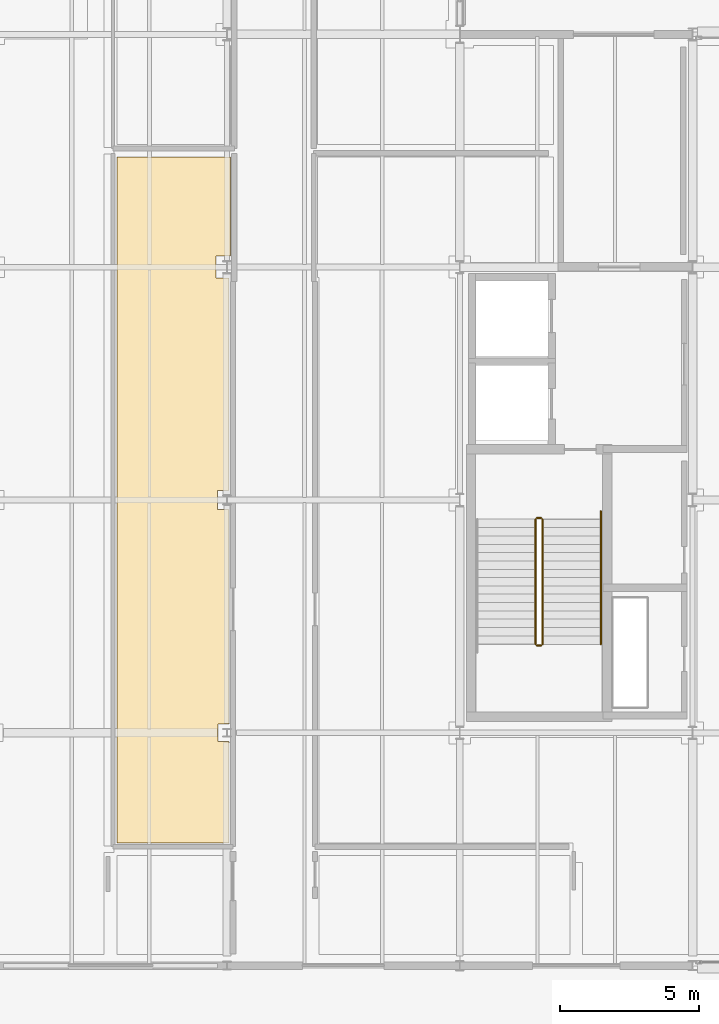
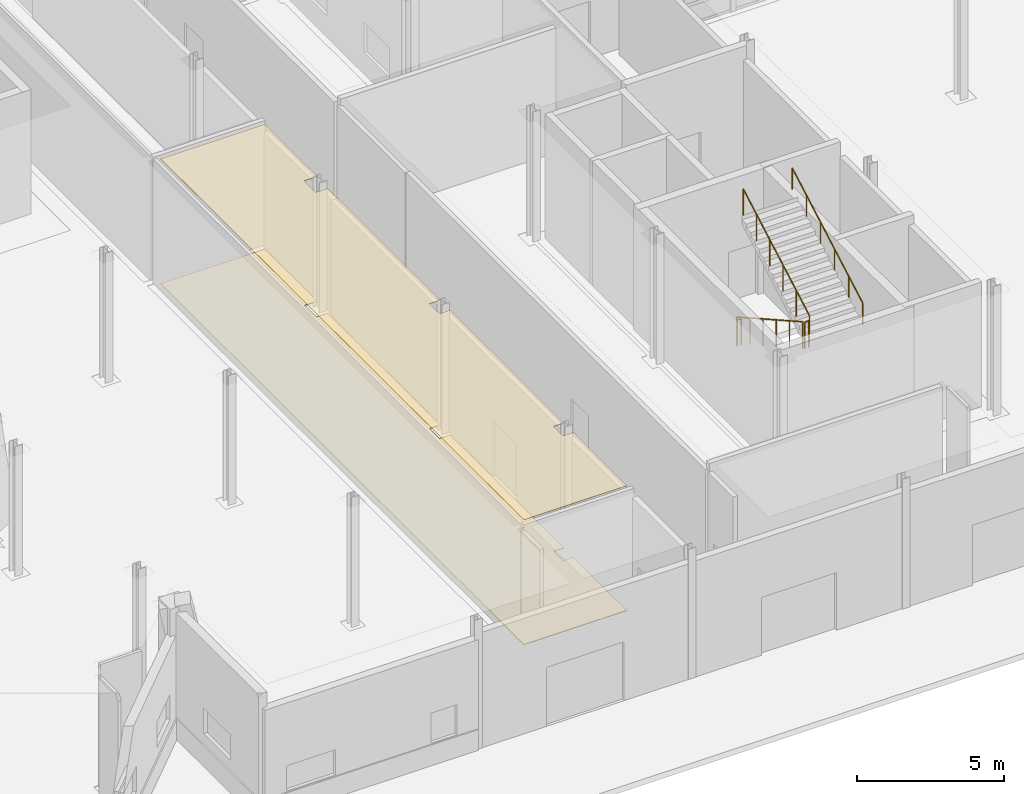
# One storey, part 102 of 124: 5 railings, 2 coverings.
"""IFC4 building model written with IfcOpenShell, lengths in metres."""

from ifc_helpers import new_model, si_unit, direction, frame, origin, origin_2d, place, context, subcontext, project, spatial, polyline, circle, outline, extrude, material, layer, layer_set, type_object, element, save


model = new_model("IFC4")

# Units and contexts
model_context = context("Model", 3, precision=1e-05, world=origin(), true_north=direction((0.0, 1.0)))
body_context = subcontext(model_context, "Body", "Model", "MODEL_VIEW")
ifc_project = project(units=[si_unit("LENGTHUNIT", "METRE"), si_unit("AREAUNIT", "SQUARE_METRE"), si_unit("VOLUMEUNIT", "CUBIC_METRE"), si_unit("PLANEANGLEUNIT", "RADIAN"), si_unit("MASSUNIT", "GRAM", prefix="KILO")], contexts=[model_context])

# Site, building, storey
site_placement = place(None, origin())
site = spatial("IfcSite", under=ifc_project, at=site_placement, CompositionType="ELEMENT")
building_placement = place(site_placement, origin())
building = spatial("IfcBuilding", under=site, at=building_placement, Name="Mersafa Astral City Hall", CompositionType="ELEMENT")
storey_placement = place(building_placement, origin())
storey = spatial("IfcBuildingStorey", under=building, at=storey_placement, Name="L00", CompositionType="ELEMENT", Elevation=0.0)

# Railings
ifc_material_1 = material(Name="Painted architectural steel stair guard balustrade", Category="steel")
railing_type_1 = type_object("IfcRailingType", Name="GUARD-RAIL", PredefinedType="BALUSTRADE", material=ifc_material_1)
railing_1_placement = place(storey_placement, frame((120.330078125, 16.10009765625, 0.168701171875)))
element("IfcRailing", 1, at=railing_1_placement, inside=storey, type_object=railing_type_1, Name="L00 ST5 stair guard 1", PredefinedType="BALUSTRADE", context=body_context, shape_type="SweptSolid", body=[
    extrude(circle(Radius=0.02392578125, at=origin_2d()), frame((0.0, 0.0, 1.09619140625), z_axis=(0.0, -0.871575537125, 0.490261239633), x_axis=(1.0, 0.0, 0.0)), (0.0, 0.0, 1.0), 5.1630859375),
    extrude(circle(Radius=0.02099609375, at=origin_2d()), origin(), (0.0, 0.0, 1.0), 1.072021484375),
    extrude(circle(Radius=0.02099609375, at=origin_2d()), frame((0.0, -0.89990234375, 0.50634765625)), (0.0, 0.0, 1.0), 1.072021484375),
    extrude(circle(Radius=0.02099609375, at=origin_2d()), frame((0.0, -1.800048828125, 1.012451171875)), (0.0, 0.0, 1.0), 1.072021484375),
    extrude(circle(Radius=0.02099609375, at=origin_2d()), frame((0.0, -2.699951171875, 1.518798828125)), (0.0, 0.0, 1.0), 1.072021484375),
    extrude(circle(Radius=0.02099609375, at=origin_2d()), frame((0.0, -3.60009765625, 2.02490234375)), (0.0, 0.0, 1.0), 1.072021484375),
    extrude(circle(Radius=0.02099609375, at=origin_2d()), frame((0.0, -4.5, 2.53125)), (0.0, 0.0, 1.0), 1.072021484375),
])
railing_2_placement = place(storey_placement, frame((120.3798828125, 11.550048828125, 2.699951171875)))
element("IfcRailing", 2, at=railing_2_placement, inside=storey, type_object=railing_type_1, Name="L00 ST5 stair guard 2", PredefinedType="BALUSTRADE", context=body_context, shape_type="SweptSolid", body=[
    extrude(circle(Radius=0.02392578125, at=origin_2d()), frame((0.0, 0.0, 1.09619140625), z_axis=(1.0, 0.0, 0.0), x_axis=(0.0, 1.0, 0.0)), (0.0, 0.0, 1.0), 0.16015625),
    extrude(circle(Radius=0.02099609375, at=origin_2d()), origin(), (0.0, 0.0, 1.0), 1.072021484375),
    extrude(circle(Radius=0.02099609375, at=origin_2d()), frame((0.16015625, 0.0, 0.0)), (0.0, 0.0, 1.0), 1.072021484375),
])
railing_3_placement = place(storey_placement, frame((120.590087890625, 11.60009765625, 2.86865234375)))
element("IfcRailing", 3, at=railing_3_placement, inside=storey, type_object=railing_type_1, Name="L00 ST5 stair guard 3", PredefinedType="BALUSTRADE", context=body_context, shape_type="SweptSolid", body=[
    extrude(circle(Radius=0.02392578125, at=origin_2d()), frame((0.0, 0.0, 1.09619140625), z_axis=(0.0, 0.871575537125, 0.490261239633), x_axis=(-1.0, 0.0, 0.0)), (0.0, 0.0, 1.0), 5.1630859375),
    extrude(circle(Radius=0.02099609375, at=origin_2d()), origin(), (0.0, 0.0, 1.0), 1.072021484375),
    extrude(circle(Radius=0.02099609375, at=origin_2d()), frame((0.0, 0.89990234375, 0.50634765625)), (0.0, 0.0, 1.0), 1.072021484375),
    extrude(circle(Radius=0.02099609375, at=origin_2d()), frame((0.0, 1.800048828125, 1.012451171875)), (0.0, 0.0, 1.0), 1.072021484375),
    extrude(circle(Radius=0.02099609375, at=origin_2d()), frame((0.0, 2.699951171875, 1.518798828125)), (0.0, 0.0, 1.0), 1.072021484375),
    extrude(circle(Radius=0.02099609375, at=origin_2d()), frame((0.0, 3.60009765625, 2.02490234375)), (0.0, 0.0, 1.0), 1.072021484375),
    extrude(circle(Radius=0.02099609375, at=origin_2d()), frame((0.0, 4.5, 2.53125)), (0.0, 0.0, 1.0), 1.072021484375),
])
railing_4_placement = place(storey_placement, frame((120.3798828125, 16.14990234375, 0.0)))
element("IfcRailing", 4, at=railing_4_placement, inside=storey, type_object=railing_type_1, Name="L00 ST5 stair guard 4", PredefinedType="BALUSTRADE", context=body_context, shape_type="SweptSolid", body=[
    extrude(circle(Radius=0.02392578125, at=origin_2d()), frame((0.0, 0.0, 1.09619140625), z_axis=(1.0, 0.0, 0.0), x_axis=(0.0, 1.0, 0.0)), (0.0, 0.0, 1.0), 0.16015625),
    extrude(circle(Radius=0.02099609375, at=origin_2d()), origin(), (0.0, 0.0, 1.0), 1.072021484375),
    extrude(circle(Radius=0.02099609375, at=origin_2d()), frame((0.16015625, 0.0, 0.0)), (0.0, 0.0, 1.0), 1.072021484375),
])
ifc_material_2 = material(Name="Brushed stainless steel tubular handrail", Category="steel")
railing_type_2 = type_object("IfcRailingType", Name="HANDRAIL", PredefinedType="HANDRAIL", material=ifc_material_2)
railing_5_placement = place(storey_placement, frame((122.68994140625, 11.60009765625, 2.86865234375)))
element("IfcRailing", 5, at=railing_5_placement, inside=storey, type_object=railing_type_2, Name="L00 ST5 stair handrail 2", PredefinedType="HANDRAIL", context=body_context, shape_type="SweptSolid", body=[
    extrude(circle(Radius=0.02392578125, at=origin_2d()), frame((0.0, 0.0, 0.8759765625), z_axis=(0.0, 0.871324497418, 0.49070726528), x_axis=(-1.0, 0.0, 0.0)), (0.0, 0.0, 1.0), 5.508544921875),
    extrude(circle(Radius=0.02099609375, at=origin_2d()), origin(), (0.0, 0.0, 1.0), 0.851806640625),
    extrude(circle(Radius=0.02099609375, at=origin_2d()), frame((0.0, 0.9599609375, 0.54052734375)), (0.0, 0.0, 1.0), 0.851806640625),
    extrude(circle(Radius=0.02099609375, at=origin_2d()), frame((0.0, 1.919921875, 1.081298828125)), (0.0, 0.0, 1.0), 0.851806640625),
    extrude(circle(Radius=0.02099609375, at=origin_2d()), frame((0.0, 2.8798828125, 1.621826171875)), (0.0, 0.0, 1.0), 0.851806640625),
    extrude(circle(Radius=0.02099609375, at=origin_2d()), frame((0.0, 3.83984375, 2.16259765625)), (0.0, 0.0, 1.0), 0.851806640625),
    extrude(circle(Radius=0.02099609375, at=origin_2d()), frame((0.0, 4.7998046875, 2.703125)), (0.0, 0.0, 1.0), 0.851806640625),
])

# Coverings
ifc_material_3 = material(Name="Perforated acoustic gypsum board ceiling", Category="gypsum")
ifc_layer_1 = layer(ifc_material_3, 0.02490234375, Name="Perforated acoustic gypsum board ceiling")
ifc_layer_set_1 = layer_set([ifc_layer_1], Name="Perforated acoustic gypsum board ceiling — INT-COV-CEIL-25")
covering_type_1 = type_object("IfcCoveringType", Name="INT-COV-CEIL-25", PredefinedType="CEILING", material=ifc_layer_set_1)
covering_1_placement = place(storey_placement, frame((0.0, 0.0, 5.180908203125)))
element("IfcCovering", 6, at=covering_1_placement, inside=storey, type_object=covering_type_1, Name="L00 Press & Media Accreditation Room L00-09 acoustic ceiling", PredefinedType="CEILING", context=body_context, shape_type="SweptSolid", body=[
    extrude(outline(polyline([(108.804931640625, 24.804931640625), (109.280029296875, 24.804931640625), (109.280029296875, 17.139892578125), (108.860107421875, 17.139892578125), (108.860107421875, 16.4599609375), (109.280029296875, 16.4599609375), (109.280029296875, 8.719970703125), (108.8798828125, 8.719970703125), (108.8798828125, 8.080078125), (109.280029296875, 8.080078125), (109.280029296875, 4.429931640625), (105.22998046875, 4.429931640625), (105.22998046875, 29.169921875), (109.330078125, 29.169921875), (109.330078125, 25.594970703125), (108.804931640625, 25.594970703125), (108.804931640625, 24.804931640625)])), origin(), (0.0, 0.0, 1.0), 0.025146484375),
])
ifc_material_4 = material(Name="Honed Cairo limestone terrazzo flooring", Category="masonry")
ifc_layer_2 = layer(ifc_material_4, 0.02001953125, Name="Honed Cairo limestone terrazzo flooring")
ifc_layer_set_2 = layer_set([ifc_layer_2], Name="Honed Cairo limestone terrazzo flooring — INT-COV-FLR-20")
covering_type_2 = type_object("IfcCoveringType", Name="INT-COV-FLR-20", PredefinedType="FLOORING", material=ifc_layer_set_2)
covering_2_placement = place(storey_placement, frame((0.0, 0.0, -0.00146484375)))
element("IfcCovering", 7, at=covering_2_placement, inside=storey, type_object=covering_type_2, Name="L00 Press & Media Accreditation Room L00-09 architectural flooring", PredefinedType="FLOORING", context=body_context, shape_type="SweptSolid", body=[
    extrude(outline(polyline([(108.804931640625, 24.804931640625), (109.280029296875, 24.804931640625), (109.280029296875, 17.139892578125), (108.860107421875, 17.139892578125), (108.860107421875, 16.4599609375), (109.280029296875, 16.4599609375), (109.280029296875, 8.719970703125), (108.8798828125, 8.719970703125), (108.8798828125, 8.080078125), (109.280029296875, 8.080078125), (109.280029296875, 4.429931640625), (105.22998046875, 4.429931640625), (105.22998046875, 29.169921875), (109.330078125, 29.169921875), (109.330078125, 25.594970703125), (108.804931640625, 25.594970703125), (108.804931640625, 24.804931640625)])), origin(), (0.0, 0.0, 1.0), 0.02001953125),
])

save(model, "model.ifc")
